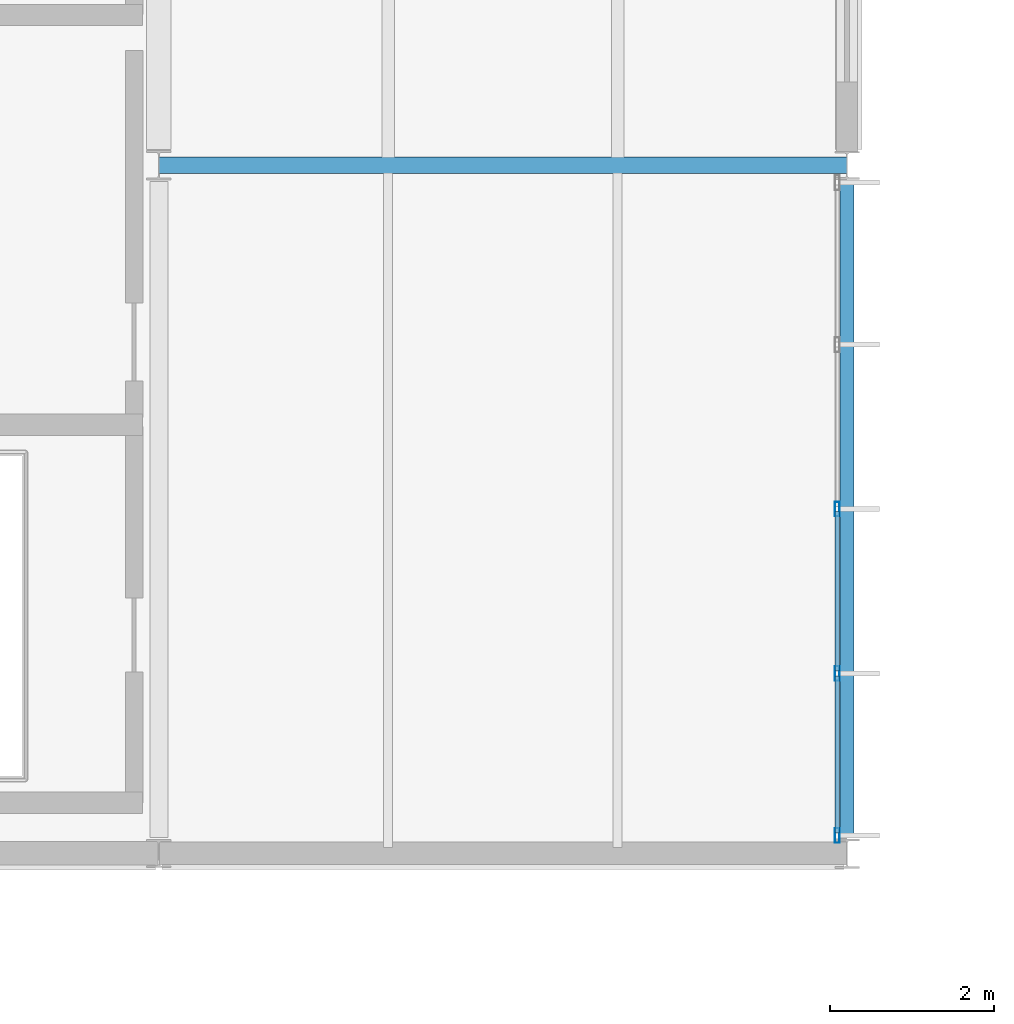
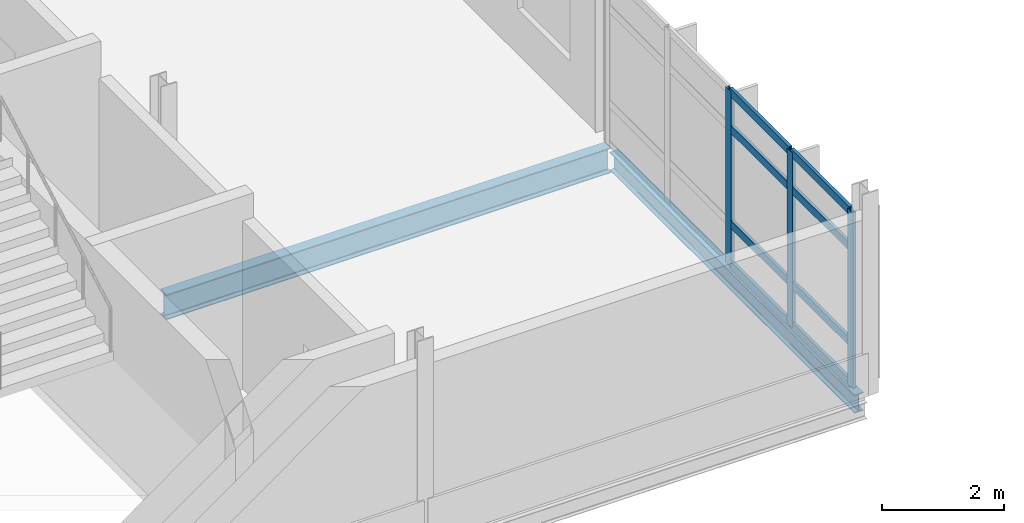
# One storey, part 35 of 131: 11 members, 2 beams, 1 element without a shape of its own.
"""IFC4 building model written with IfcOpenShell, lengths in metres."""

from ifc_helpers import new_model, si_unit, direction, frame, origin, origin_2d, place, context, subcontext, project, spatial, hollow_rectangle, i_section, extrude, material, material_profile, profile_set, type_object, element, aggregate, save


model = new_model("IFC4")

# Units and contexts
model_context = context("Model", 3, precision=1e-05, world=origin(), true_north=direction((0.0, 1.0)))
body_context = subcontext(model_context, "Body", "Model", "MODEL_VIEW")
ifc_project = project(units=[si_unit("LENGTHUNIT", "METRE"), si_unit("AREAUNIT", "SQUARE_METRE"), si_unit("VOLUMEUNIT", "CUBIC_METRE"), si_unit("PLANEANGLEUNIT", "RADIAN"), si_unit("MASSUNIT", "GRAM", prefix="KILO")], contexts=[model_context])

# Site, building, storey
site_placement = place(None, origin())
site = spatial("IfcSite", under=ifc_project, at=site_placement, CompositionType="ELEMENT")
building_placement = place(site_placement, origin())
building = spatial("IfcBuilding", under=site, at=building_placement, Name="Mersafa Astral City Hall", CompositionType="ELEMENT")
storey_placement = place(building_placement, frame((0.0, 0.0, 13.949951171875)))
storey = spatial("IfcBuildingStorey", under=building, at=storey_placement, Name="L03", CompositionType="ELEMENT", Elevation=13.949951171875)

# Curtain wall, members
ifc_material_1 = material(Name="Anodised bronze aluminium framing", Category="aluminium")
curtain_wall_type = type_object("IfcCurtainWallType", Name="ENV-CW-1", PredefinedType="USERDEFINED", material=ifc_material_1)
curtain_wall_placement = place(storey_placement, origin())
curtain_wall = element("IfcCurtainWall", 1, at=curtain_wall_placement, inside=storey, type_object=curtain_wall_type, Name="L03 Unitised solar curtain wall 174", ObjectType="UNITISED CURTAIN WALL", PredefinedType="USERDEFINED")
ifc_material_profile_1 = material_profile(ifc_material_1, hollow_rectangle(XDim=0.06005859375, YDim=0.179931640625, WallThickness=0.00390625, at=origin_2d()), Name="RHS 60x180x4")
ifc_profile_set_1 = profile_set([ifc_material_profile_1], Name="Anodised bronze aluminium framing")
member_type_1 = type_object("IfcMemberType", Name="ENV-CW-MUL-1", PredefinedType="MULLION", material=ifc_profile_set_1)
member_1_placement = place(storey_placement, frame((25.080078125, 75.822021484375, -0.001953125), z_axis=(0.0, 0.0, 1.0), x_axis=(-1.0, 0.0, 0.0)))
member_1 = element("IfcMember", 2, at=member_1_placement, type_object=member_type_1, Name="CW-1 mullion 1", PredefinedType="MULLION", context=body_context, shape_type="SweptSolid", body=[
    extrude(hollow_rectangle(XDim=0.06005859375, YDim=0.179931640625, WallThickness=0.00390625, at=origin_2d()), origin(), (0.0, 0.0, 1.0), 3.50390625),
])
member_2_placement = place(storey_placement, frame((25.080078125, 77.798583984375, -0.001953125), z_axis=(0.0, 0.0, 1.0), x_axis=(-1.0, 0.0, 0.0)))
member_2 = element("IfcMember", 3, at=member_2_placement, type_object=member_type_1, Name="CW-1 mullion 2", PredefinedType="MULLION", context=body_context, shape_type="SweptSolid", body=[
    extrude(hollow_rectangle(XDim=0.06005859375, YDim=0.179931640625, WallThickness=0.00390625, at=origin_2d()), origin(), (0.0, 0.0, 1.0), 3.50390625),
])
member_3_placement = place(storey_placement, frame((25.080078125, 79.804931640625, -0.001953125), z_axis=(0.0, 0.0, 1.0), x_axis=(-1.0, 0.0, 0.0)))
member_3 = element("IfcMember", 4, at=member_3_placement, type_object=member_type_1, Name="CW-1 mullion 3", PredefinedType="MULLION", context=body_context, shape_type="SweptSolid", body=[
    extrude(hollow_rectangle(XDim=0.06005859375, YDim=0.179931640625, WallThickness=0.00390625, at=origin_2d()), origin(), (0.0, 0.0, 1.0), 3.50390625),
])
ifc_material_profile_2 = material_profile(ifc_material_1, hollow_rectangle(XDim=0.06005859375, YDim=0.159912109375, WallThickness=0.00390625, at=origin_2d()), Name="RHS 60x160x4")
ifc_profile_set_2 = profile_set([ifc_material_profile_2], Name="Anodised bronze aluminium framing")
member_type_2 = type_object("IfcMemberType", Name="ENV-CW-TRN-2", PredefinedType="USERDEFINED", material=ifc_profile_set_2)
member_4_placement = place(storey_placement, frame((25.080078125, 75.85205078125, 0.028076171875), z_axis=(0.0, 1.0, 0.0), x_axis=(-1.0, 0.0, 0.0)))
member_4 = element("IfcMember", 5, at=member_4_placement, type_object=member_type_2, Name="CW-1 transom 1.1", ObjectType="TRANSOM", PredefinedType="USERDEFINED", context=body_context, shape_type="SweptSolid", body=[
    extrude(hollow_rectangle(XDim=0.06005859375, YDim=0.159912109375, WallThickness=0.00390625, at=origin_2d()), origin(), (0.0, 0.0, 1.0), 1.91650390625),
])
member_5_placement = place(storey_placement, frame((25.080078125, 75.85205078125, 0.85009765625), z_axis=(0.0, 1.0, 0.0), x_axis=(-1.0, 0.0, 0.0)))
member_5 = element("IfcMember", 6, at=member_5_placement, type_object=member_type_2, Name="CW-1 transom 1.2", ObjectType="TRANSOM", PredefinedType="USERDEFINED", context=body_context, shape_type="SweptSolid", body=[
    extrude(hollow_rectangle(XDim=0.06005859375, YDim=0.159912109375, WallThickness=0.00390625, at=origin_2d()), origin(), (0.0, 0.0, 1.0), 1.91650390625),
])
member_6_placement = place(storey_placement, frame((25.080078125, 75.85205078125, 2.75), z_axis=(0.0, 1.0, 0.0), x_axis=(-1.0, 0.0, 0.0)))
member_6 = element("IfcMember", 7, at=member_6_placement, type_object=member_type_2, Name="CW-1 transom 1.3", ObjectType="TRANSOM", PredefinedType="USERDEFINED", context=body_context, shape_type="SweptSolid", body=[
    extrude(hollow_rectangle(XDim=0.06005859375, YDim=0.159912109375, WallThickness=0.00390625, at=origin_2d()), origin(), (0.0, 0.0, 1.0), 1.91650390625),
])
member_7_placement = place(storey_placement, frame((25.080078125, 75.85205078125, 3.47216796875), z_axis=(0.0, 1.0, 0.0), x_axis=(-1.0, 0.0, 0.0)))
member_7 = element("IfcMember", 8, at=member_7_placement, type_object=member_type_2, Name="CW-1 transom 1.4", ObjectType="TRANSOM", PredefinedType="USERDEFINED", context=body_context, shape_type="SweptSolid", body=[
    extrude(hollow_rectangle(XDim=0.06005859375, YDim=0.159912109375, WallThickness=0.00390625, at=origin_2d()), origin(), (0.0, 0.0, 1.0), 1.91650390625),
])
member_8_placement = place(storey_placement, frame((25.080078125, 77.82861328125, 0.028076171875), z_axis=(0.0, 1.0, 0.0), x_axis=(-1.0, 0.0, 0.0)))
member_8 = element("IfcMember", 9, at=member_8_placement, type_object=member_type_2, Name="CW-1 transom 2.1", ObjectType="TRANSOM", PredefinedType="USERDEFINED", context=body_context, shape_type="SweptSolid", body=[
    extrude(hollow_rectangle(XDim=0.06005859375, YDim=0.159912109375, WallThickness=0.00390625, at=origin_2d()), origin(), (0.0, 0.0, 1.0), 1.9462890625),
])
member_9_placement = place(storey_placement, frame((25.080078125, 77.82861328125, 0.85009765625), z_axis=(0.0, 1.0, 0.0), x_axis=(-1.0, 0.0, 0.0)))
member_9 = element("IfcMember", 10, at=member_9_placement, type_object=member_type_2, Name="CW-1 transom 2.2", ObjectType="TRANSOM", PredefinedType="USERDEFINED", context=body_context, shape_type="SweptSolid", body=[
    extrude(hollow_rectangle(XDim=0.06005859375, YDim=0.159912109375, WallThickness=0.00390625, at=origin_2d()), origin(), (0.0, 0.0, 1.0), 1.9462890625),
])
member_10_placement = place(storey_placement, frame((25.080078125, 77.82861328125, 2.75), z_axis=(0.0, 1.0, 0.0), x_axis=(-1.0, 0.0, 0.0)))
member_10 = element("IfcMember", 11, at=member_10_placement, type_object=member_type_2, Name="CW-1 transom 2.3", ObjectType="TRANSOM", PredefinedType="USERDEFINED", context=body_context, shape_type="SweptSolid", body=[
    extrude(hollow_rectangle(XDim=0.06005859375, YDim=0.159912109375, WallThickness=0.00390625, at=origin_2d()), origin(), (0.0, 0.0, 1.0), 1.9462890625),
])
member_11_placement = place(storey_placement, frame((25.080078125, 77.82861328125, 3.47216796875), z_axis=(0.0, 1.0, 0.0), x_axis=(-1.0, 0.0, 0.0)))
member_11 = element("IfcMember", 12, at=member_11_placement, type_object=member_type_2, Name="CW-1 transom 2.4", ObjectType="TRANSOM", PredefinedType="USERDEFINED", context=body_context, shape_type="SweptSolid", body=[
    extrude(hollow_rectangle(XDim=0.06005859375, YDim=0.159912109375, WallThickness=0.00390625, at=origin_2d()), origin(), (0.0, 0.0, 1.0), 1.9462890625),
])
aggregate(curtain_wall, [member_1, member_2, member_3, member_4, member_5, member_6, member_7, member_8, member_9, member_10, member_11])

# Beams
ifc_material_2 = material(Name="Steel S355", Category="steel")
ifc_material_profile_3 = material_profile(ifc_material_2, i_section(OverallWidth=0.199951171875, OverallDepth=0.5, WebThickness=0.01025390625, FlangeThickness=0.01611328125, FilletRadius=0.02099609375, at=origin_2d()), Name="IPE 500")
ifc_profile_set_3 = profile_set([ifc_material_profile_3], Name="Steel S355")
beam_type_1 = type_object("IfcBeamType", Name="STR-BM-IPE500", PredefinedType="BEAM", material=ifc_profile_set_3)
beam_1_placement = place(storey_placement, frame((16.802978515625, 84.0, -0.449951171875), z_axis=(1.0, 0.0, 0.0), x_axis=(0.0, 1.0, 0.0)))
element("IfcBeam", 13, at=beam_1_placement, inside=storey, type_object=beam_type_1, Name="L03 Primary girder X 2-10", PredefinedType="BEAM", context=body_context, shape_type="SweptSolid", body=[
    extrude(i_section(OverallWidth=0.199951171875, OverallDepth=0.5, WebThickness=0.01025390625, FlangeThickness=0.01611328125, FilletRadius=0.02099609375, at=origin_2d()), origin(), (0.0, 0.0, 1.0), 8.39404296875),
])
ifc_material_profile_4 = material_profile(ifc_material_2, i_section(OverallWidth=0.169921875, OverallDepth=0.360107421875, WebThickness=0.008056640625, FlangeThickness=0.0126953125, FilletRadius=0.01806640625, at=origin_2d()), Name="IPE 360")
ifc_profile_set_4 = profile_set([ifc_material_profile_4], Name="Steel S355")
beam_type_2 = type_object("IfcBeamType", Name="STR-BM-SPANDREL-IPE360", PredefinedType="SPANDREL", material=ifc_profile_set_4)
beam_2_placement = place(storey_placement, frame((25.199951171875, 75.794921875, -0.3798828125), z_axis=(0.0, 1.0, 0.0), x_axis=(-1.0, 0.0, 0.0)))
element("IfcBeam", 14, at=beam_2_placement, inside=storey, type_object=beam_type_2, Name="L03 Primary girder Y 3-9", PredefinedType="SPANDREL", context=body_context, shape_type="SweptSolid", body=[
    extrude(i_section(OverallWidth=0.169921875, OverallDepth=0.360107421875, WebThickness=0.008056640625, FlangeThickness=0.0126953125, FilletRadius=0.01806640625, at=origin_2d()), origin(), (0.0, 0.0, 1.0), 8.010009765625),
])

save(model, "model.ifc")
